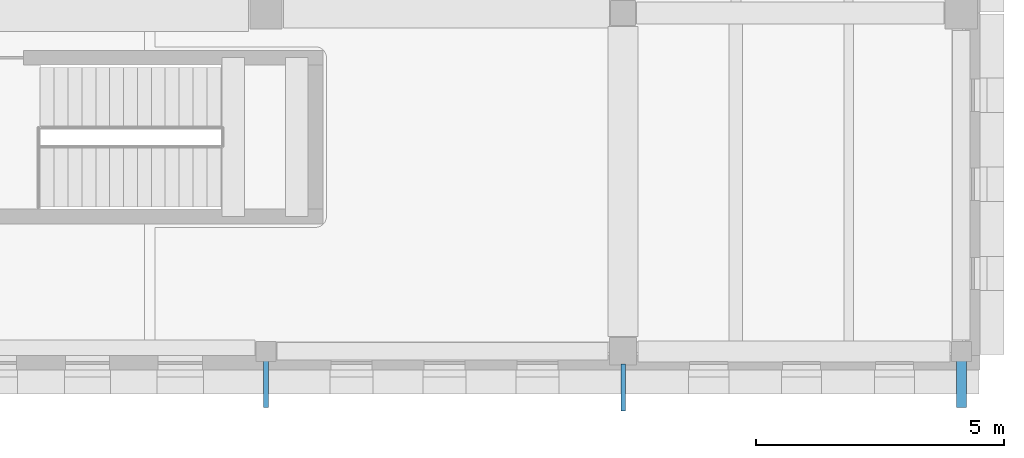
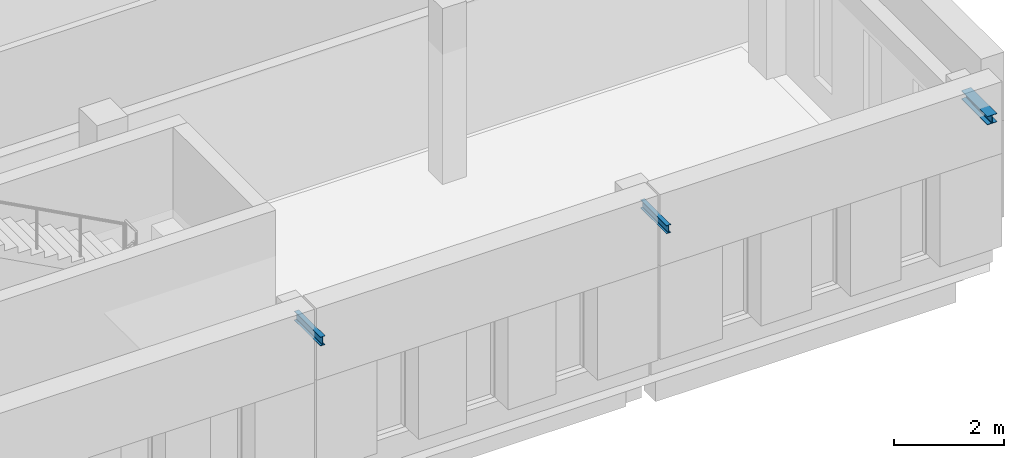
# One storey, part 37 of 76: 3 members.
"""IFC4 building model written with IfcOpenShell, lengths in metres."""

from ifc_helpers import new_model, si_unit, direction, frame, origin, origin_2d, place, context, subcontext, project, spatial, i_section, extrude, material, material_profile, profile_set, type_object, element, save


model = new_model("IFC4")

# Units and contexts
model_context = context("Model", 3, precision=1e-05, world=origin(), true_north=direction((0.0, 1.0)))
body_context = subcontext(model_context, "Body", "Model", "MODEL_VIEW")
ifc_project = project(units=[si_unit("LENGTHUNIT", "METRE"), si_unit("AREAUNIT", "SQUARE_METRE"), si_unit("VOLUMEUNIT", "CUBIC_METRE"), si_unit("PLANEANGLEUNIT", "RADIAN"), si_unit("MASSUNIT", "GRAM", prefix="KILO")], contexts=[model_context])

# Site, building, storey
site_placement = place(None, origin())
site = spatial("IfcSite", under=ifc_project, at=site_placement, CompositionType="ELEMENT")
building_placement = place(site_placement, origin())
building = spatial("IfcBuilding", under=site, at=building_placement, Name="Vardoun Plaza Health Centre", CompositionType="ELEMENT")
storey_placement = place(building_placement, frame((0.0, 0.0, 4.5)))
storey = spatial("IfcBuildingStorey", under=building, at=storey_placement, Name="L01", CompositionType="ELEMENT", Elevation=4.5)

# Members
ifc_material_1 = material(Name="Steel S355J2", Category="steel")
ifc_material_profile_1 = material_profile(ifc_material_1, i_section(OverallWidth=0.10009765625, OverallDepth=0.199951171875, WebThickness=0.005615234375, FlangeThickness=0.008544921875, FilletRadius=0.011962890625, at=origin_2d()), Name="IPE 200")
ifc_profile_set_1 = profile_set([ifc_material_profile_1], Name="Steel S355J2")
member_type_1 = type_object("IfcMemberType", Name="CR-03", PredefinedType="RAFTER", material=ifc_profile_set_1)
member_1_placement = place(storey_placement, frame((150.89990234375, 4.699951171875, 3.655029296875), z_axis=(0.0, -1.0, 0.0), x_axis=(1.0, 0.0, 0.0)))
element("IfcMember", 1, at=member_1_placement, inside=storey, type_object=member_type_1, Name="V5 L01 South Facade Shading Fin Arm SH-V5-L01-072", PredefinedType="RAFTER", context=body_context, shape_type="SweptSolid", body=[
    extrude(i_section(OverallWidth=0.10009765625, OverallDepth=0.199951171875, WebThickness=0.005615234375, FlangeThickness=0.008544921875, FilletRadius=0.011962890625, at=origin_2d()), origin(), (0.0, 0.0, 1.0), 0.949951171875),
])
ifc_material_2 = material(Name="Steel S355J2", Category="steel")
ifc_material_profile_2 = material_profile(ifc_material_2, i_section(OverallWidth=0.091064453125, OverallDepth=0.179931640625, WebThickness=0.00537109375, FlangeThickness=0.008056640625, FilletRadius=0.009033203125, at=origin_2d()), Name="IPE 180")
ifc_profile_set_2 = profile_set([ifc_material_profile_2], Name="Steel S355J2")
member_type_2 = type_object("IfcMemberType", Name="CR-04", PredefinedType="RAFTER", material=ifc_profile_set_2)
member_2_placement = place(storey_placement, frame((158.10009765625, 4.625, 3.655029296875), z_axis=(0.0, -1.0, 0.0), x_axis=(1.0, 0.0, 0.0)))
element("IfcMember", 2, at=member_2_placement, inside=storey, type_object=member_type_2, Name="V5 L01 South Facade Shading Fin Arm SH-V5-L01-073", PredefinedType="RAFTER", context=body_context, shape_type="SweptSolid", body=[
    extrude(i_section(OverallWidth=0.091064453125, OverallDepth=0.179931640625, WebThickness=0.00537109375, FlangeThickness=0.008056640625, FilletRadius=0.009033203125, at=origin_2d()), origin(), (0.0, 0.0, 1.0), 0.949951171875),
])
ifc_material_3 = material(Name="Steel S355J2", Category="steel")
ifc_material_profile_3 = material_profile(ifc_material_3, i_section(OverallWidth=0.199951171875, OverallDepth=0.18994140625, WebThickness=0.006591796875, FlangeThickness=0.010009765625, FilletRadius=0.01806640625, at=origin_2d()), Name="HEA 200")
ifc_profile_set_3 = profile_set([ifc_material_profile_3], Name="Steel S355J2")
member_type_3 = type_object("IfcMemberType", Name="CR-05", PredefinedType="RAFTER", material=ifc_profile_set_3)
member_3_placement = place(storey_placement, frame((164.919921875, 4.699951171875, 3.655029296875), z_axis=(0.0, -1.0, 0.0), x_axis=(1.0, 0.0, 0.0)))
element("IfcMember", 3, at=member_3_placement, inside=storey, type_object=member_type_3, Name="V5 L01 South Facade Shading Fin Arm SH-V5-L01-074", PredefinedType="RAFTER", context=body_context, shape_type="SweptSolid", body=[
    extrude(i_section(OverallWidth=0.199951171875, OverallDepth=0.18994140625, WebThickness=0.006591796875, FlangeThickness=0.010009765625, FilletRadius=0.01806640625, at=origin_2d()), origin(), (0.0, 0.0, 1.0), 0.949951171875),
])

save(model, "model.ifc")
